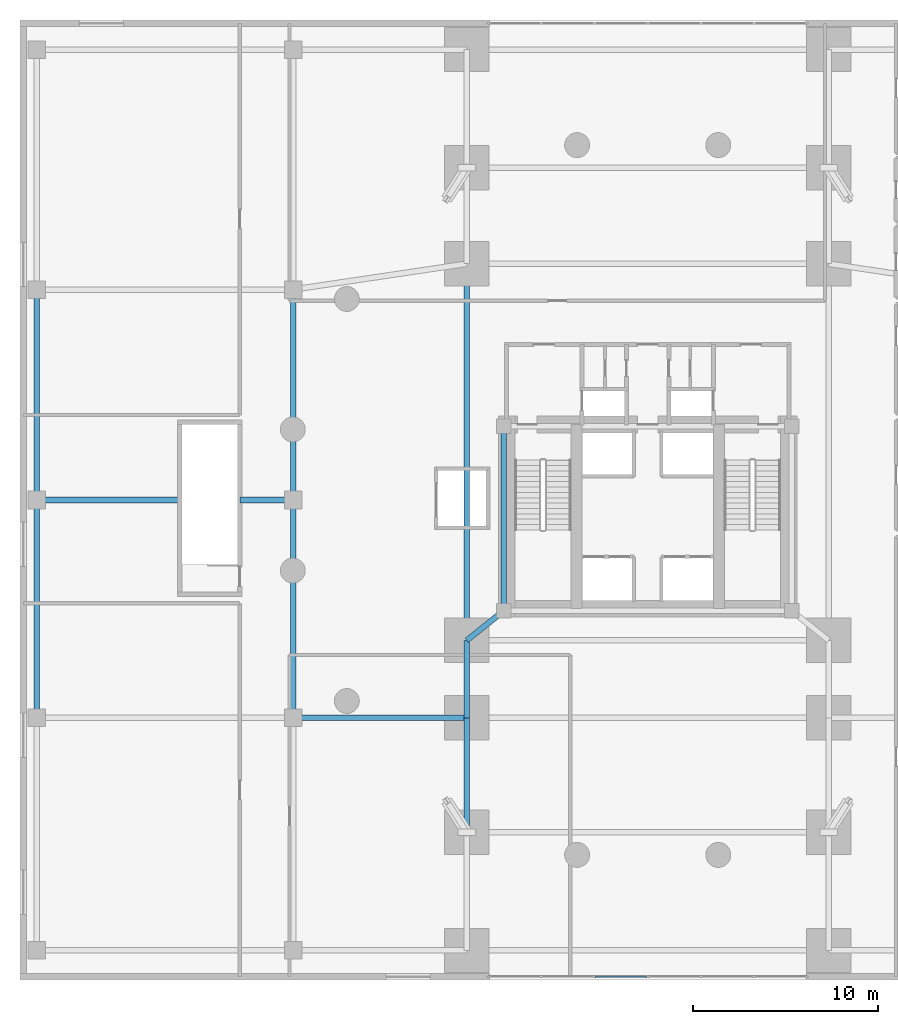
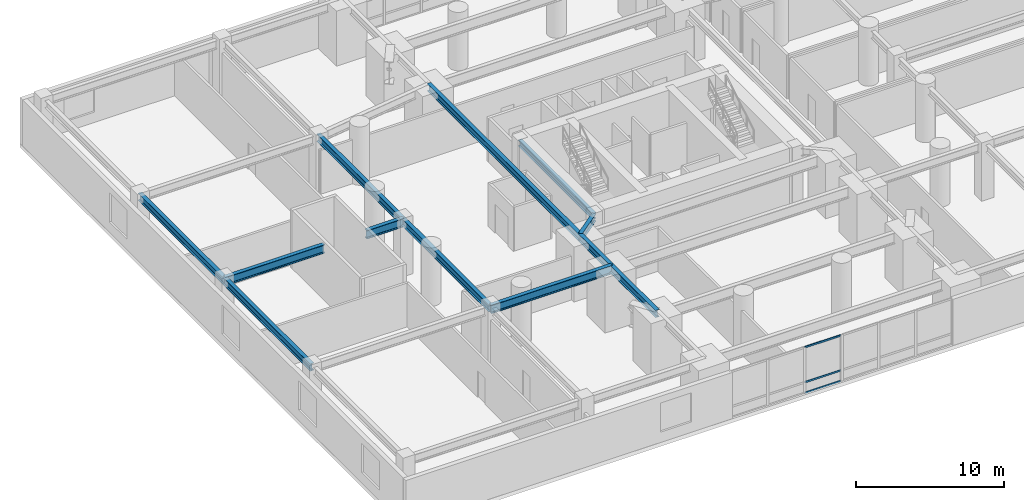
# One storey, part 3 of 17: 12 beams, 3 members, 1 element without a shape of its own.
"""IFC4 building model written with IfcOpenShell, lengths in metres."""

from ifc_helpers import new_model, si_unit, direction, frame, origin, origin_2d, place, context, subcontext, project, spatial, hollow_rectangle, i_section, extrude, material, layer, layer_set, material_profile, profile_set, type_object, element, aggregate, save


model = new_model("IFC4")

# Units and contexts
model_context = context("Model", 3, precision=1e-05, world=origin(), true_north=direction((0.0, 1.0)))
body_context = subcontext(model_context, "Body", "Model", "MODEL_VIEW")
ifc_project = project(units=[si_unit("LENGTHUNIT", "METRE"), si_unit("AREAUNIT", "SQUARE_METRE"), si_unit("VOLUMEUNIT", "CUBIC_METRE"), si_unit("PLANEANGLEUNIT", "RADIAN"), si_unit("MASSUNIT", "GRAM", prefix="KILO"), si_unit("THERMODYNAMICTEMPERATUREUNIT", "KELVIN"), si_unit("POWERUNIT", "WATT")], contexts=[model_context])

# Site, building, storey
site_placement = place(None, origin())
site = spatial("IfcSite", under=ifc_project, at=site_placement, CompositionType="ELEMENT")
building_placement = place(site_placement, origin())
building = spatial("IfcBuilding", under=site, at=building_placement, Name="Ocrelia Relay Tower", CompositionType="ELEMENT")
storey_placement = place(building_placement, frame((0.0, 0.0, 25.199951171875)))
storey = spatial("IfcBuildingStorey", under=building, at=storey_placement, Name="L05", CompositionType="ELEMENT", Elevation=25.199951171875)

# Beams
ifc_material_1 = material(Name="Steel S355", Category="steel")
ifc_material_profile_1 = material_profile(ifc_material_1, i_section(OverallWidth=0.300048828125, OverallDepth=0.5, WebThickness=0.014404296875, FlangeThickness=0.028076171875, FilletRadius=0.027099609375, at=origin_2d()), Name="HEB 500")
ifc_profile_set_1 = profile_set([ifc_material_profile_1], Name="Steel S355")
beam_type_1 = type_object("IfcBeamType", Name="BM-HEB500", PredefinedType="BEAM", material=ifc_profile_set_1)
beam_1_placement = place(storey_placement, frame((26.199951171875, 20.0, 4.27001953125), z_axis=(0.0, 1.0, 0.0), x_axis=(-1.0, 0.0, 0.0)))
element("IfcBeam", 1, at=beam_1_placement, inside=storey, type_object=beam_type_1, Name="L05 Core Pilaster Tie Beam W", PredefinedType="BEAM", context=body_context, shape_type="SweptSolid", body=[
    extrude(i_section(OverallWidth=0.300048828125, OverallDepth=0.5, WebThickness=0.014404296875, FlangeThickness=0.028076171875, FilletRadius=0.027099609375, at=origin_2d()), origin(), (0.0, 0.0, 1.0), 10.0),
])
ifc_material_profile_2 = material_profile(ifc_material_1, i_section(OverallWidth=0.300048828125, OverallDepth=0.60009765625, WebThickness=0.015380859375, FlangeThickness=0.030029296875, FilletRadius=0.027099609375, at=origin_2d()), Name="HEB 600")
ifc_profile_set_2 = profile_set([ifc_material_profile_2], Name="Steel S355")
beam_type_2 = type_object("IfcBeamType", Name="BM-HEB600", PredefinedType="BEAM", material=ifc_profile_set_2)
beam_2_placement = place(storey_placement, frame((0.89990234375, 14.199951171875, 4.219970703125), z_axis=(0.0, 1.0, 0.0), x_axis=(-1.0, 0.0, 0.0)))
element("IfcBeam", 2, at=beam_2_placement, inside=storey, type_object=beam_type_2, Name="L05 Podium Span Girder W-2", PredefinedType="BEAM", context=body_context, shape_type="SweptSolid", body=[
    extrude(i_section(OverallWidth=0.300048828125, OverallDepth=0.60009765625, WebThickness=0.015380859375, FlangeThickness=0.030029296875, FilletRadius=0.027099609375, at=origin_2d()), origin(), (0.0, 0.0, 1.0), 11.800048828125),
])
beam_3_placement = place(storey_placement, frame((0.89990234375, 26.0, 4.219970703125), z_axis=(0.0, 1.0, 0.0), x_axis=(-1.0, 0.0, 0.0)))
element("IfcBeam", 3, at=beam_3_placement, inside=storey, type_object=beam_type_2, Name="L05 Podium Span Girder W-3", PredefinedType="BEAM", context=body_context, shape_type="SweptSolid", body=[
    extrude(i_section(OverallWidth=0.300048828125, OverallDepth=0.60009765625, WebThickness=0.015380859375, FlangeThickness=0.030029296875, FilletRadius=0.027099609375, at=origin_2d()), origin(), (0.0, 0.0, 1.0), 11.39990234375),
])
beam_4_placement = place(storey_placement, frame((14.800048828125, 14.199951171875, 4.219970703125), z_axis=(0.0, 1.0, 0.0), x_axis=(-1.0, 0.0, 0.0)))
element("IfcBeam", 4, at=beam_4_placement, inside=storey, type_object=beam_type_2, Name="L05 Podium Span Girder IW-2", PredefinedType="BEAM", context=body_context, shape_type="SweptSolid", body=[
    extrude(i_section(OverallWidth=0.300048828125, OverallDepth=0.60009765625, WebThickness=0.015380859375, FlangeThickness=0.030029296875, FilletRadius=0.027099609375, at=origin_2d()), origin(), (0.0, 0.0, 1.0), 11.800048828125),
])
beam_5_placement = place(storey_placement, frame((14.800048828125, 26.0, 4.219970703125), z_axis=(0.0, 1.0, 0.0), x_axis=(-1.0, 0.0, 0.0)))
element("IfcBeam", 5, at=beam_5_placement, inside=storey, type_object=beam_type_2, Name="L05 Podium Span Girder IW-3", PredefinedType="BEAM", context=body_context, shape_type="SweptSolid", body=[
    extrude(i_section(OverallWidth=0.300048828125, OverallDepth=0.60009765625, WebThickness=0.015380859375, FlangeThickness=0.030029296875, FilletRadius=0.027099609375, at=origin_2d()), origin(), (0.0, 0.0, 1.0), 11.39990234375),
])
beam_6_placement = place(storey_placement, frame((24.199951171875, 8.0, 4.219970703125), z_axis=(0.0, 1.0, 0.0), x_axis=(-1.0, 0.0, 0.0)))
element("IfcBeam", 6, at=beam_6_placement, inside=storey, type_object=beam_type_2, Name="L05 Pier Line Tie Girder AW-2", PredefinedType="BEAM", context=body_context, shape_type="SweptSolid", body=[
    extrude(i_section(OverallWidth=0.300048828125, OverallDepth=0.60009765625, WebThickness=0.015380859375, FlangeThickness=0.030029296875, FilletRadius=0.027099609375, at=origin_2d()), origin(), (0.0, 0.0, 1.0), 6.199951171875),
])
beam_7_placement = place(storey_placement, frame((24.199951171875, 14.199951171875, 4.219970703125), z_axis=(0.0, 1.0, 0.0), x_axis=(-1.0, 0.0, 0.0)))
element("IfcBeam", 7, at=beam_7_placement, inside=storey, type_object=beam_type_2, Name="L05 Pier Line Tie Girder AW-3", PredefinedType="BEAM", context=body_context, shape_type="SweptSolid", body=[
    extrude(i_section(OverallWidth=0.300048828125, OverallDepth=0.60009765625, WebThickness=0.015380859375, FlangeThickness=0.030029296875, FilletRadius=0.027099609375, at=origin_2d()), origin(), (0.0, 0.0, 1.0), 4.199951171875),
])
beam_8_placement = place(storey_placement, frame((24.199951171875, 18.39990234375, 4.219970703125), z_axis=(0.0, 1.0, 0.0), x_axis=(-1.0, 0.0, 0.0)))
element("IfcBeam", 8, at=beam_8_placement, inside=storey, type_object=beam_type_2, Name="L05 Pier Line Tie Girder AW-6", PredefinedType="BEAM", context=body_context, shape_type="SweptSolid", body=[
    extrude(i_section(OverallWidth=0.300048828125, OverallDepth=0.60009765625, WebThickness=0.015380859375, FlangeThickness=0.030029296875, FilletRadius=0.027099609375, at=origin_2d()), origin(), (0.0, 0.0, 1.0), 20.400146484375),
])
beam_9_placement = place(storey_placement, frame((24.199951171875, 18.39990234375, 4.219970703125), z_axis=(0.78085021034, 0.624718295724, 0.0), x_axis=(-0.624718295724, 0.78085021034, 0.0)))
element("IfcBeam", 9, at=beam_9_placement, inside=storey, type_object=beam_type_2, Name="L05 Core Pilaster Link Girder AWS", PredefinedType="BEAM", context=body_context, shape_type="SweptSolid", body=[
    extrude(i_section(OverallWidth=0.300048828125, OverallDepth=0.60009765625, WebThickness=0.015380859375, FlangeThickness=0.030029296875, FilletRadius=0.027099609375, at=origin_2d()), origin(), (0.0, 0.0, 1.0), 2.561279296875),
])
ifc_material_profile_3 = material_profile(ifc_material_1, i_section(OverallWidth=0.300048828125, OverallDepth=0.699951171875, WebThickness=0.01708984375, FlangeThickness=0.031982421875, FilletRadius=0.027099609375, at=origin_2d()), Name="HEB 700")
ifc_profile_set_3 = profile_set([ifc_material_profile_3], Name="Steel S355")
beam_type_3 = type_object("IfcBeamType", Name="BM-HEB700", PredefinedType="BEAM", material=ifc_profile_set_3)
beam_10_placement = place(storey_placement, frame((14.800048828125, 14.199951171875, 4.170166015625), z_axis=(1.0, 0.0, 0.0), x_axis=(0.0, 1.0, 0.0)))
element("IfcBeam", 10, at=beam_10_placement, inside=storey, type_object=beam_type_3, Name="L05 West Inner Podium Girder M1", PredefinedType="BEAM", context=body_context, shape_type="SweptSolid", body=[
    extrude(i_section(OverallWidth=0.300048828125, OverallDepth=0.699951171875, WebThickness=0.01708984375, FlangeThickness=0.031982421875, FilletRadius=0.027099609375, at=origin_2d()), origin(), (0.0, 0.0, 1.0), 9.39990234375),
])
beam_11_placement = place(storey_placement, frame((0.89990234375, 26.0, 4.170166015625), z_axis=(1.0, 0.0, 0.0), x_axis=(0.0, 1.0, 0.0)))
element("IfcBeam", 11, at=beam_11_placement, inside=storey, type_object=beam_type_3, Name="L05 West Mid Podium Girder Outer", PredefinedType="BEAM", context=body_context, shape_type="SweptSolid", body=[
    extrude(i_section(OverallWidth=0.300048828125, OverallDepth=0.699951171875, WebThickness=0.01708984375, FlangeThickness=0.031982421875, FilletRadius=0.027099609375, at=origin_2d()), origin(), (0.0, 0.0, 1.0), 7.752197265625),
])
beam_12_placement = place(storey_placement, frame((11.907958984375, 26.0, 4.170166015625), z_axis=(1.0, 0.0, 0.0), x_axis=(0.0, 1.0, 0.0)))
element("IfcBeam", 12, at=beam_12_placement, inside=storey, type_object=beam_type_3, Name="L05 West Mid Podium Girder Inner", PredefinedType="BEAM", context=body_context, shape_type="SweptSolid", body=[
    extrude(i_section(OverallWidth=0.300048828125, OverallDepth=0.699951171875, WebThickness=0.01708984375, FlangeThickness=0.031982421875, FilletRadius=0.027099609375, at=origin_2d()), origin(), (0.0, 0.0, 1.0), 2.89208984375),
])

# Curtain wall, members
ifc_material_2 = material(Name="Aluminium and solar-control low-E glass", Category="aluminium")
ifc_layer = layer(ifc_material_2, 0.179931640625, Name="Aluminium and solar-control low-E glass")
ifc_layer_set = layer_set([ifc_layer], Name="Aluminium and solar-control low-E glass")
curtain_wall_type = type_object("IfcCurtainWallType", Name="CW-SYS-POD-GALL", PredefinedType="NOTDEFINED", material=ifc_layer_set)
curtain_wall_placement = place(storey_placement, origin())
curtain_wall = element("IfcCurtainWall", 13, at=curtain_wall_placement, inside=storey, type_object=curtain_wall_type, Name="L05 South Over-Arch Curtain Wall West", PredefinedType="NOTDEFINED")
ifc_material_3 = material(Name="Anodised bronze aluminium", Category="aluminium")
ifc_material_profile_4 = material_profile(ifc_material_3, hollow_rectangle(XDim=0.06494140625, YDim=0.139892578125, WallThickness=0.0048828125, at=origin_2d()), Name="CW-TRN-140x65")
ifc_profile_set_4 = profile_set([ifc_material_profile_4], Name="Anodised bronze aluminium")
member_type = type_object("IfcMemberType", Name="CW-SYS-POD-GALL-TRN", PredefinedType="USERDEFINED", material=ifc_profile_set_4)
member_1_placement = place(storey_placement, frame((31.151611328125, 0.179931640625, 0.032470703125), z_axis=(1.0, 0.0, 0.0), x_axis=(0.0, 1.0, 0.0)))
member_1 = element("IfcMember", 14, at=member_1_placement, type_object=member_type, Name="CW-PG transom 3.1", ObjectType="TRANSOM", PredefinedType="USERDEFINED", context=body_context, shape_type="SweptSolid", body=[
    extrude(hollow_rectangle(XDim=0.06494140625, YDim=0.139892578125, WallThickness=0.0048828125, at=origin_2d()), origin(), (0.0, 0.0, 1.0), 2.7783203125),
])
member_2_placement = place(storey_placement, frame((31.151611328125, 0.179931640625, 0.900146484375), z_axis=(1.0, 0.0, 0.0), x_axis=(0.0, 1.0, 0.0)))
member_2 = element("IfcMember", 15, at=member_2_placement, type_object=member_type, Name="CW-PG transom 3.2", ObjectType="TRANSOM", PredefinedType="USERDEFINED", context=body_context, shape_type="SweptSolid", body=[
    extrude(hollow_rectangle(XDim=0.06494140625, YDim=0.139892578125, WallThickness=0.0048828125, at=origin_2d()), origin(), (0.0, 0.0, 1.0), 2.7783203125),
])
member_3_placement = place(storey_placement, frame((31.151611328125, 0.179931640625, 3.767578125), z_axis=(1.0, 0.0, 0.0), x_axis=(0.0, 1.0, 0.0)))
member_3 = element("IfcMember", 16, at=member_3_placement, type_object=member_type, Name="CW-PG transom 3.3", ObjectType="TRANSOM", PredefinedType="USERDEFINED", context=body_context, shape_type="SweptSolid", body=[
    extrude(hollow_rectangle(XDim=0.06494140625, YDim=0.139892578125, WallThickness=0.0048828125, at=origin_2d()), origin(), (0.0, 0.0, 1.0), 2.7783203125),
])
aggregate(curtain_wall, [member_1, member_2, member_3])

save(model, "model.ifc")
